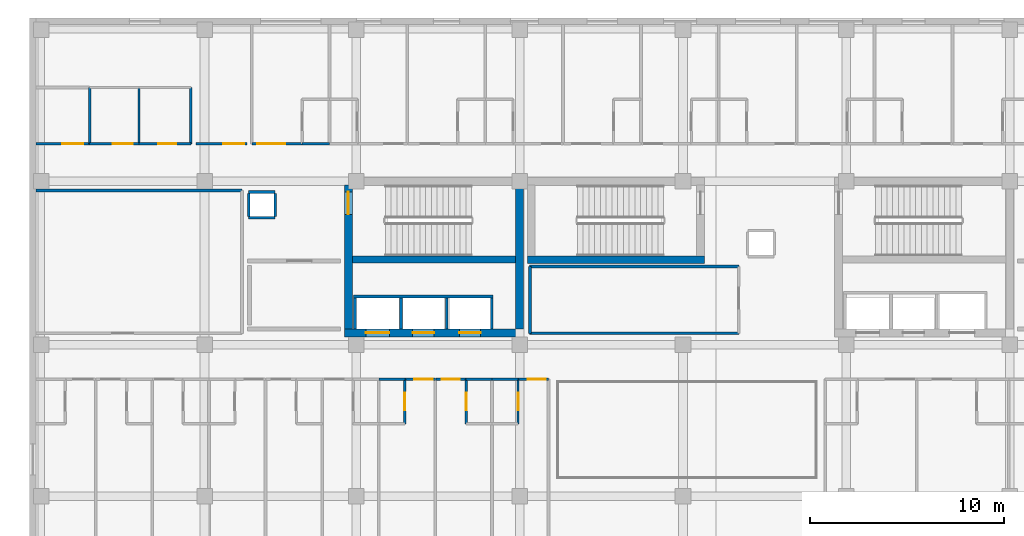
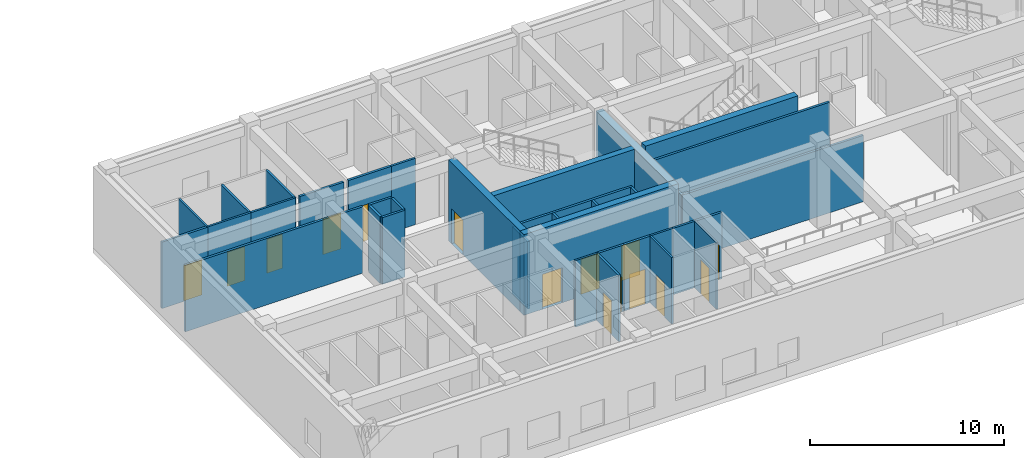
# One storey, part 102 of 139: 36 walls, 15 doors, 15 openings.
"""IFC4 building model written with IfcOpenShell, lengths in metres."""

from ifc_helpers import new_model, si_unit, direction, frame, frame_2d, origin, place, context, subcontext, project, spatial, rectangle, extrude, material, layer, layer_set, type_object, element, fill, save


model = new_model("IFC4")

# Units and contexts
model_context = context("Model", 3, precision=1e-05, world=origin(), true_north=direction((0.0, 1.0)))
body_context = subcontext(model_context, "Body", "Model", "MODEL_VIEW")
ifc_project = project(units=[si_unit("LENGTHUNIT", "METRE"), si_unit("AREAUNIT", "SQUARE_METRE"), si_unit("VOLUMEUNIT", "CUBIC_METRE"), si_unit("PLANEANGLEUNIT", "RADIAN"), si_unit("MASSUNIT", "GRAM", prefix="KILO")], contexts=[model_context])

# Site, building, storey
site_placement = place(None, origin())
site = spatial("IfcSite", under=ifc_project, at=site_placement, CompositionType="ELEMENT")
building_placement = place(site_placement, origin())
building = spatial("IfcBuilding", under=site, at=building_placement, Name="Zayran Congress Hotel", CompositionType="ELEMENT")
storey_placement = place(building_placement, frame((0.0, 0.0, 5.39990234375)))
storey = spatial("IfcBuildingStorey", under=building, at=storey_placement, Name="L01", CompositionType="ELEMENT", Elevation=5.39990234375)

# Wall, openings, doors
ifc_material_1 = material(Name="Concrete C40/50", Category="concrete")
ifc_layer_1 = layer(ifc_material_1, 0.39990234375)
ifc_layer_set_1 = layer_set([ifc_layer_1], Name="Concrete C40/50")
wall_type_1 = type_object("IfcWallType", Name="WL-SH-400", PredefinedType="SHEAR", material=ifc_layer_set_1)
wall_1_placement = place(storey_placement, frame((24.60009765625, 17.800048828125, 0.0), z_axis=(0.0, 0.0, 1.0), x_axis=(1.0, 0.0, 0.0)))
wall_1 = element("IfcWall", 1, at=wall_1_placement, inside=storey, type_object=wall_type_1, Name="CWALL-C-V5W-L01-S", PredefinedType="SHEAR", context=body_context, shape_type="SweptSolid", body=[
    extrude(rectangle(XDim=9.199951171875, YDim=0.39990234375, at=frame_2d((4.60009765625, 0.0))), origin(), (0.0, 0.0, 1.0), 5.080078125),
])
opening_1_placement = place(wall_1_placement, frame((1.10009765625, 0.0, 0.0)))
opening_1 = element("IfcOpeningElement", 2, at=opening_1_placement, cuts=wall_1, Name="Opening LD-FL01", PredefinedType="OPENING", context=body_context, shape_type="SweptSolid", body=[
    extrude(rectangle(XDim=1.199951171875, YDim=2.199951171875, at=frame_2d((0.60009765625, 1.10009765625))), frame((0.0, 0.2099609375, 0.0), z_axis=(0.0, -1.0, 0.0), x_axis=(1.0, 0.0, 0.0)), (0.0, 0.0, 1.0), 0.419921875),
])
opening_2_placement = place(wall_1_placement, frame((3.5, 0.0, 0.0)))
opening_2 = element("IfcOpeningElement", 3, at=opening_2_placement, cuts=wall_1, Name="Opening LD-PL01", PredefinedType="OPENING", context=body_context, shape_type="SweptSolid", body=[
    extrude(rectangle(XDim=1.10009765625, YDim=2.199951171875, at=frame_2d((0.550048828125, 1.10009765625))), frame((0.0, 0.2099609375, 0.0), z_axis=(0.0, -1.0, 0.0), x_axis=(1.0, 0.0, 0.0)), (0.0, 0.0, 1.0), 0.419921875),
])
opening_3_placement = place(wall_1_placement, frame((5.89990234375, 0.0, 0.0)))
opening_3 = element("IfcOpeningElement", 4, at=opening_3_placement, cuts=wall_1, Name="Opening LD-PL02", PredefinedType="OPENING", context=body_context, shape_type="SweptSolid", body=[
    extrude(rectangle(XDim=1.10009765625, YDim=2.199951171875, at=frame_2d((0.550048828125, 1.10009765625))), frame((0.0, 0.2099609375, 0.0), z_axis=(0.0, -1.0, 0.0), x_axis=(1.0, 0.0, 0.0)), (0.0, 0.0, 1.0), 0.419921875),
])
ifc_material_2 = material(Name="Brushed stainless steel sliding lift landing door", Category="steel")
door_type_1 = type_object("IfcDoorType", Name="TP-DR-LD-01", OperationType="DOUBLE_DOOR_SLIDING", PredefinedType="DOOR", material=ifc_material_2)
door_1_placement = place(opening_2_placement, origin())
door_1 = element("IfcDoor", 5, at=door_1_placement, inside=storey, type_object=door_type_1, Name="Lift PL-01 Sliding Landing Door L01", OperationType="DOUBLE_DOOR_SLIDING", OverallHeight=2.199951171875, OverallWidth=1.10009765625, PredefinedType="DOOR", context=body_context, shape_type="SweptSolid", body=[
    extrude(rectangle(XDim=1.10009765625, YDim=2.199951171875, at=frame_2d((0.550048828125, 1.10009765625))), frame((0.0, 0.02490234375, 0.0), z_axis=(0.0, -1.0, 0.0), x_axis=(1.0, 0.0, 0.0)), (0.0, 0.0, 1.0), 0.050048828125),
])
fill(opening_2, door_1)
door_2_placement = place(opening_3_placement, origin())
door_2 = element("IfcDoor", 6, at=door_2_placement, inside=storey, type_object=door_type_1, Name="Lift PL-02 Sliding Landing Door L01", OperationType="DOUBLE_DOOR_SLIDING", OverallHeight=2.199951171875, OverallWidth=1.10009765625, PredefinedType="DOOR", context=body_context, shape_type="SweptSolid", body=[
    extrude(rectangle(XDim=1.10009765625, YDim=2.199951171875, at=frame_2d((0.550048828125, 1.10009765625))), frame((0.0, 0.02490234375, 0.0), z_axis=(0.0, -1.0, 0.0), x_axis=(1.0, 0.0, 0.0)), (0.0, 0.0, 1.0), 0.050048828125),
])
fill(opening_3, door_2)
ifc_material_3 = material(Name="Brushed stainless steel firefighting lift landing door", Category="steel")
door_type_2 = type_object("IfcDoorType", Name="TP-DR-LD-02", OperationType="DOUBLE_DOOR_SLIDING", PredefinedType="DOOR", material=ifc_material_3)
door_3_placement = place(opening_1_placement, origin())
door_3 = element("IfcDoor", 7, at=door_3_placement, inside=storey, type_object=door_type_2, Name="Lift FL-01 Sliding Landing Door L01", OperationType="DOUBLE_DOOR_SLIDING", OverallHeight=2.199951171875, OverallWidth=1.199951171875, PredefinedType="DOOR", context=body_context, shape_type="SweptSolid", body=[
    extrude(rectangle(XDim=1.199951171875, YDim=2.199951171875, at=frame_2d((0.60009765625, 1.10009765625))), frame((0.0, 0.02490234375, 0.0), z_axis=(0.0, -1.0, 0.0), x_axis=(1.0, 0.0, 0.0)), (0.0, 0.0, 1.0), 0.050048828125),
])
fill(opening_1, door_3)

# Wall, opening, door
wall_2_placement = place(storey_placement, frame((24.800048828125, 25.39990234375, 0.0), z_axis=(0.0, 0.0, 1.0), x_axis=(0.0, -1.0, 0.0)))
wall_2 = element("IfcWall", 8, at=wall_2_placement, inside=storey, type_object=wall_type_1, Name="CWALL-C-V5W-L01-W", PredefinedType="SHEAR", context=body_context, shape_type="SweptSolid", body=[
    extrude(rectangle(XDim=7.39990234375, YDim=0.39990234375, at=frame_2d((3.699951171875, 0.0))), origin(), (0.0, 0.0, 1.0), 5.080078125),
])
opening_4_placement = place(wall_2_placement, frame((0.35009765625, 0.0, 0.0)))
opening_4 = element("IfcOpeningElement", 9, at=opening_4_placement, cuts=wall_2, Name="Opening DR-FD-90", PredefinedType="OPENING", context=body_context, shape_type="SweptSolid", body=[
    extrude(rectangle(XDim=1.14990234375, YDim=2.199951171875, at=frame_2d((0.574951171875, 1.10009765625))), frame((0.0, 0.2099609375, 0.0), z_axis=(0.0, -1.0, 0.0), x_axis=(1.0, 0.0, 0.0)), (0.0, 0.0, 1.0), 0.419921875),
])
ifc_material_4 = material(Name="Painted steel fire door assembly", Category="steel")
door_type_3 = type_object("IfcDoorType", Name="TP-DR-FD-90", OperationType="NOTDEFINED", PredefinedType="DOOR", material=ifc_material_4)
door_4_placement = place(opening_4_placement, origin())
door_4 = element("IfcDoor", 10, at=door_4_placement, inside=storey, type_object=door_type_3, Name="ST-01 Exit Stair Door L01", OperationType="SINGLE_SWING_LEFT", OverallHeight=2.199951171875, OverallWidth=1.14990234375, PredefinedType="DOOR", context=body_context, shape_type="SweptSolid", body=[
    extrude(rectangle(XDim=1.14990234375, YDim=2.199951171875, at=frame_2d((0.574951171875, 1.10009765625))), frame((0.0, 0.02490234375, 0.0), z_axis=(0.0, -1.0, 0.0), x_axis=(1.0, 0.0, 0.0)), (0.0, 0.0, 1.0), 0.050048828125),
])
fill(opening_4, door_4)

# Walls
wall_3_placement = place(storey_placement, frame((33.60009765625, 18.0, 0.0), z_axis=(0.0, 0.0, 1.0), x_axis=(0.0, 1.0, 0.0)))
element("IfcWall", 11, at=wall_3_placement, inside=storey, type_object=wall_type_1, Name="CWALL-C-V5W-L01-E", PredefinedType="SHEAR", context=body_context, shape_type="SweptSolid", body=[
    extrude(rectangle(XDim=7.39990234375, YDim=0.39990234375, at=frame_2d((3.699951171875, 0.0))), origin(), (0.0, 0.0, 1.0), 5.080078125),
])
wall_4_placement = place(storey_placement, frame((34.0, 21.56005859375, 0.0), z_axis=(0.0, 0.0, 1.0), x_axis=(1.0, 0.0, 0.0)))
element("IfcWall", 12, at=wall_4_placement, inside=storey, type_object=wall_type_1, Name="CWALL-C-V5M-L01-S", PredefinedType="SHEAR", context=body_context, shape_type="SweptSolid", body=[
    extrude(rectangle(XDim=9.10009765625, YDim=0.39990234375, at=frame_2d((4.550048828125, 0.0))), origin(), (0.0, 0.0, 1.0), 5.080078125),
])
ifc_layer_2 = layer(ifc_material_1, 0.35009765625)
ifc_layer_set_2 = layer_set([ifc_layer_2], Name="Concrete C40/50")
wall_type_2 = type_object("IfcWallType", Name="WL-SH-350", PredefinedType="SHEAR", material=ifc_layer_set_2)
wall_5_placement = place(storey_placement, frame((25.0, 21.5849609375, 0.0), z_axis=(0.0, 0.0, 1.0), x_axis=(1.0, 0.0, 0.0)))
element("IfcWall", 13, at=wall_5_placement, inside=storey, type_object=wall_type_2, Name="CWALL-C-V5W-L01-SPN", PredefinedType="SHEAR", context=body_context, shape_type="SweptSolid", body=[
    extrude(rectangle(XDim=8.39990234375, YDim=0.35009765625, at=frame_2d((4.199951171875, 0.0))), origin(), (0.0, 0.0, 1.0), 5.080078125),
])
ifc_material_5 = material(Name="Hospitality guestroom acoustic partition", Category="gypsum")
ifc_layer_3 = layer(ifc_material_5, 0.139892578125)
ifc_layer_set_3 = layer_set([ifc_layer_3], Name="Hospitality guestroom acoustic partition")
wall_type_3 = type_object("IfcWallType", Name="WL-PT-140", PredefinedType="PARTITIONING", material=ifc_layer_set_3)
for number, where, z_axis, x_axis, name in (
    (14, (25.1298828125, 18.0, 0.0), (0.0, 0.0, 1.0), (0.0, 1.0, 0.0), "LSHW-C-V5W-L01-W"),
    (15, (27.5, 18.0, 0.0), (0.0, 0.0, 1.0), (0.0, 1.0, 0.0), "LSHW-C-V5W-L01-DIV1"),
    (16, (29.85009765625, 18.0, 0.0), (0.0, 0.0, 1.0), (0.0, 1.0, 0.0), "LSHW-C-V5W-L01-DIV2"),
    (17, (32.169921875, 18.0, 0.0), (0.0, 0.0, 1.0), (0.0, 1.0, 0.0), "LSHW-C-V5W-L01-E"),
):
    element("IfcWall", number, at=place(storey_placement, frame(where, z_axis=z_axis, x_axis=x_axis)), inside=storey, type_object=wall_type_3, Name=name, PredefinedType="PARTITIONING", context=body_context, shape_type="SweptSolid", body=[
        extrude(rectangle(XDim=1.60009765625, YDim=0.139892578125, at=frame_2d((0.800048828125, 0.0))), origin(), (0.0, 0.0, 1.0), 4.22998046875),
    ])
wall_6_placement = place(storey_placement, frame((25.06005859375, 19.669921875, 0.0), z_axis=(0.0, 0.0, 1.0), x_axis=(1.0, 0.0, 0.0)))
element("IfcWall", 18, at=wall_6_placement, inside=storey, type_object=wall_type_3, Name="LSHW-C-V5W-L01-N", PredefinedType="PARTITIONING", context=body_context, shape_type="SweptSolid", body=[
    extrude(rectangle(XDim=7.179931640625, YDim=0.139892578125, at=frame_2d((3.58984375, 0.0))), origin(), (0.0, 0.0, 1.0), 4.22998046875),
])

# Wall, opening, door
wall_7_placement = place(storey_placement, frame((27.697021484375, 15.419921875, 0.0), z_axis=(0.0, 0.0, 1.0), x_axis=(1.0, 0.0, 0.0)))
wall_7 = element("IfcWall", 19, at=wall_7_placement, inside=storey, type_object=wall_type_3, Name="IW-L01-0454", PredefinedType="PARTITIONING", context=body_context, shape_type="SweptSolid", body=[
    extrude(rectangle(XDim=1.571044921875, YDim=0.139892578125, at=frame_2d((0.78564453125, 0.0))), origin(), (0.0, 0.0, 1.0), 4.18017578125),
])
opening_5_placement = place(wall_7_placement, frame((0.490966796875, 0.0, 0.0)))
opening_5 = element("IfcOpeningElement", 20, at=opening_5_placement, cuts=wall_7, Name="Opening DR-GR-01", PredefinedType="OPENING", context=body_context, shape_type="SweptSolid", body=[
    extrude(rectangle(XDim=0.93994140625, YDim=2.199951171875, at=frame_2d((0.469970703125, 1.10009765625))), frame((0.0, 0.079833984375, 0.0), z_axis=(0.0, -1.0, 0.0), x_axis=(1.0, 0.0, 0.0)), (0.0, 0.0, 1.0), 0.159912109375),
])
ifc_material_6 = material(Name="Acoustic walnut veneer fire-rated entry door", Category="wood")
door_type_4 = type_object("IfcDoorType", Name="TP-DR-GR-01", OperationType="NOTDEFINED", PredefinedType="DOOR", material=ifc_material_6)
door_5_placement = place(opening_5_placement, origin())
door_5 = element("IfcDoor", 21, at=door_5_placement, inside=storey, type_object=door_type_4, Name="Guest Room L01-07 Door", OperationType="SINGLE_SWING_RIGHT", OverallHeight=2.199951171875, OverallWidth=0.93994140625, PredefinedType="DOOR", context=body_context, shape_type="SweptSolid", body=[
    extrude(rectangle(XDim=0.93994140625, YDim=2.199951171875, at=frame_2d((0.469970703125, 1.10009765625))), frame((0.0, 0.02490234375, 0.0), z_axis=(0.0, -1.0, 0.0), x_axis=(1.0, 0.0, 0.0)), (0.0, 0.0, 1.0), 0.050048828125),
])
fill(opening_5, door_5)

wall_8_placement = place(storey_placement, frame((29.2880859375, 15.419921875, 0.0), z_axis=(0.0, 0.0, 1.0), x_axis=(1.0, 0.0, 0.0)))
wall_8 = element("IfcWall", 22, at=wall_8_placement, inside=storey, type_object=wall_type_3, Name="IW-L01-0455", PredefinedType="PARTITIONING", context=body_context, shape_type="SweptSolid", body=[
    extrude(rectangle(XDim=1.57080078125, YDim=0.139892578125, at=frame_2d((0.785400390625, 0.0))), origin(), (0.0, 0.0, 1.0), 4.18017578125),
])
opening_6_placement = place(wall_8_placement, frame((0.302978515625, 0.0, 0.0)))
opening_6 = element("IfcOpeningElement", 23, at=opening_6_placement, cuts=wall_8, Name="Opening DR-GR-01", PredefinedType="OPENING", context=body_context, shape_type="SweptSolid", body=[
    extrude(rectangle(XDim=0.93994140625, YDim=2.199951171875, at=frame_2d((0.469970703125, 1.10009765625))), frame((0.0, 0.079833984375, 0.0), z_axis=(0.0, -1.0, 0.0), x_axis=(1.0, 0.0, 0.0)), (0.0, 0.0, 1.0), 0.159912109375),
])
door_6_placement = place(opening_6_placement, origin())
door_6 = element("IfcDoor", 24, at=door_6_placement, inside=storey, type_object=door_type_4, Name="Guest Room L01-08 Door", OperationType="SINGLE_SWING_LEFT", OverallHeight=2.199951171875, OverallWidth=0.93994140625, PredefinedType="DOOR", context=body_context, shape_type="SweptSolid", body=[
    extrude(rectangle(XDim=0.93994140625, YDim=2.199951171875, at=frame_2d((0.469970703125, 1.10009765625))), frame((0.0, 0.02490234375, 0.0), z_axis=(0.0, -1.0, 0.0), x_axis=(1.0, 0.0, 0.0)), (0.0, 0.0, 1.0), 0.050048828125),
])
fill(opening_6, door_6)

wall_9_placement = place(storey_placement, frame((33.51904296875, 15.419921875, 0.0), z_axis=(0.0, 0.0, 1.0), x_axis=(1.0, 0.0, 0.0)))
wall_9 = element("IfcWall", 25, at=wall_9_placement, inside=storey, type_object=wall_type_3, Name="IW-L01-0456", PredefinedType="PARTITIONING", context=body_context, shape_type="SweptSolid", body=[
    extrude(rectangle(XDim=1.571044921875, YDim=0.139892578125, at=frame_2d((0.78564453125, 0.0))), origin(), (0.0, 0.0, 1.0), 4.18017578125),
])
opening_7_placement = place(wall_9_placement, frame((0.490966796875, 0.0, 0.0)))
opening_7 = element("IfcOpeningElement", 26, at=opening_7_placement, cuts=wall_9, Name="Opening DR-GR-01", PredefinedType="OPENING", context=body_context, shape_type="SweptSolid", body=[
    extrude(rectangle(XDim=0.93994140625, YDim=2.199951171875, at=frame_2d((0.469970703125, 1.10009765625))), frame((0.0, 0.079833984375, 0.0), z_axis=(0.0, -1.0, 0.0), x_axis=(1.0, 0.0, 0.0)), (0.0, 0.0, 1.0), 0.159912109375),
])
door_7_placement = place(opening_7_placement, origin())
door_7 = element("IfcDoor", 27, at=door_7_placement, inside=storey, type_object=door_type_4, Name="Guest Room L01-09 Door", OperationType="SINGLE_SWING_RIGHT", OverallHeight=2.199951171875, OverallWidth=0.93994140625, PredefinedType="DOOR", context=body_context, shape_type="SweptSolid", body=[
    extrude(rectangle(XDim=0.93994140625, YDim=2.199951171875, at=frame_2d((0.469970703125, 1.10009765625))), frame((0.0, 0.02490234375, 0.0), z_axis=(0.0, -1.0, 0.0), x_axis=(1.0, 0.0, 0.0)), (0.0, 0.0, 1.0), 0.050048828125),
])
fill(opening_7, door_7)

wall_10_placement = place(storey_placement, frame((8.739990234375, 27.530029296875, 0.0), z_axis=(0.0, 0.0, 1.0), x_axis=(1.0, 0.0, 0.0)))
wall_10 = element("IfcWall", 28, at=wall_10_placement, inside=storey, type_object=wall_type_3, Name="IW-L01-0466", PredefinedType="PARTITIONING", context=body_context, shape_type="SweptSolid", body=[
    extrude(rectangle(XDim=2.739990234375, YDim=0.139892578125, at=frame_2d((1.3701171875, 0.0))), origin(), (0.0, 0.0, 1.0), 4.18017578125),
])
opening_8_placement = place(wall_10_placement, frame((1.35009765625, 0.0, 0.0)))
opening_8 = element("IfcOpeningElement", 29, at=opening_8_placement, cuts=wall_10, Name="Opening DR-PL-02", PredefinedType="OPENING", context=body_context, shape_type="SweptSolid", body=[
    extrude(rectangle(XDim=1.06005859375, YDim=2.199951171875, at=frame_2d((0.530029296875, 1.10009765625))), frame((0.0, 0.079833984375, 0.0), z_axis=(0.0, -1.0, 0.0), x_axis=(1.0, 0.0, 0.0)), (0.0, 0.0, 1.0), 0.159912109375),
])
ifc_material_7 = material(Name="Painted steel store room fire door", Category="steel")
door_type_5 = type_object("IfcDoorType", Name="TP-DR-PL-02", OperationType="NOTDEFINED", PredefinedType="DOOR", material=ifc_material_7)
door_8_placement = place(opening_8_placement, origin())
door_8 = element("IfcDoor", 30, at=door_8_placement, inside=storey, type_object=door_type_5, Name="Housekeeping and Linen Store L01 Door", OperationType="SINGLE_SWING_RIGHT", OverallHeight=2.199951171875, OverallWidth=1.06005859375, PredefinedType="DOOR", context=body_context, shape_type="SweptSolid", body=[
    extrude(rectangle(XDim=1.06005859375, YDim=2.199951171875, at=frame_2d((0.530029296875, 1.10009765625))), frame((0.0, 0.02490234375, 0.0), z_axis=(0.0, -1.0, 0.0), x_axis=(1.0, 0.0, 0.0)), (0.0, 0.0, 1.0), 0.050048828125),
])
fill(opening_8, door_8)

wall_11_placement = place(storey_placement, frame((16.9599609375, 27.530029296875, 0.0), z_axis=(0.0, 0.0, 1.0), x_axis=(1.0, 0.0, 0.0)))
wall_11 = element("IfcWall", 31, at=wall_11_placement, inside=storey, type_object=wall_type_3, Name="IW-L01-0467", PredefinedType="PARTITIONING", context=body_context, shape_type="SweptSolid", body=[
    extrude(rectangle(XDim=2.610107421875, YDim=0.139892578125, at=frame_2d((1.30517578125, 0.0))), origin(), (0.0, 0.0, 1.0), 4.18017578125),
])
opening_9_placement = place(wall_11_placement, frame((1.389892578125, 0.0, 0.0)))
opening_9 = element("IfcOpeningElement", 32, at=opening_9_placement, cuts=wall_11, Name="Opening DR-MT-01", PredefinedType="OPENING", context=body_context, shape_type="SweptSolid", body=[
    extrude(rectangle(XDim=1.080078125, YDim=2.25, at=frame_2d((0.5400390625, 1.125))), frame((0.0, 0.079833984375, 0.0), z_axis=(0.0, -1.0, 0.0), x_axis=(1.0, 0.0, 0.0)), (0.0, 0.0, 1.0), 0.159912109375),
])
ifc_material_8 = material(Name="Acoustic timber seminar room door", Category="wood")
door_type_6 = type_object("IfcDoorType", Name="TP-DR-MT-01", OperationType="NOTDEFINED", PredefinedType="DOOR", material=ifc_material_8)
door_9_placement = place(opening_9_placement, origin())
door_9 = element("IfcDoor", 33, at=door_9_placement, inside=storey, type_object=door_type_6, Name="Delegate Reading Salon L01 Door", OperationType="SINGLE_SWING_LEFT", OverallHeight=2.25, OverallWidth=1.080078125, PredefinedType="DOOR", context=body_context, shape_type="SweptSolid", body=[
    extrude(rectangle(XDim=1.080078125, YDim=2.25, at=frame_2d((0.5400390625, 1.125))), frame((0.0, 0.02490234375, 0.0), z_axis=(0.0, -1.0, 0.0), x_axis=(1.0, 0.0, 0.0)), (0.0, 0.0, 1.0), 0.050048828125),
])
fill(opening_9, door_9)

wall_12_placement = place(storey_placement, frame((19.840087890625, 27.530029296875, 0.0), z_axis=(0.0, 0.0, 1.0), x_axis=(1.0, 0.0, 0.0)))
wall_12 = element("IfcWall", 34, at=wall_12_placement, inside=storey, type_object=wall_type_3, Name="IW-L01-0468", PredefinedType="PARTITIONING", context=body_context, shape_type="SweptSolid", body=[
    extrude(rectangle(XDim=2.574951171875, YDim=0.139892578125, at=frame_2d((1.28759765625, 0.0))), origin(), (0.0, 0.0, 1.0), 4.18017578125),
])
opening_10_placement = place(wall_12_placement, frame((0.260986328125, 0.0, 0.0)))
opening_10 = element("IfcOpeningElement", 35, at=opening_10_placement, cuts=wall_12, Name="Opening DR-ST-01", PredefinedType="OPENING", context=body_context, shape_type="SweptSolid", body=[
    extrude(rectangle(XDim=1.449951171875, YDim=2.300048828125, at=frame_2d((0.72509765625, 1.14990234375))), frame((0.0, 0.079833984375, 0.0), z_axis=(0.0, -1.0, 0.0), x_axis=(1.0, 0.0, 0.0)), (0.0, 0.0, 1.0), 0.159912109375),
])
ifc_material_9 = material(Name="Double walnut veneer suite entry door", Category="wood")
door_type_7 = type_object("IfcDoorType", Name="TP-DR-ST-01", OperationType="DOUBLE_DOOR_SINGLE_SWING", PredefinedType="DOOR", material=ifc_material_9)
door_10_placement = place(opening_10_placement, origin())
door_10 = element("IfcDoor", 36, at=door_10_placement, inside=storey, type_object=door_type_7, Name="Executive Suite L01-19 Door", OperationType="DOUBLE_DOOR_SINGLE_SWING", OverallHeight=2.300048828125, OverallWidth=1.449951171875, PredefinedType="DOOR", context=body_context, shape_type="SweptSolid", body=[
    extrude(rectangle(XDim=1.449951171875, YDim=2.300048828125, at=frame_2d((0.72509765625, 1.14990234375))), frame((0.0, 0.02490234375, 0.0), z_axis=(0.0, -1.0, 0.0), x_axis=(1.0, 0.0, 0.0)), (0.0, 0.0, 1.0), 0.050048828125),
])
fill(opening_10, door_10)

# Walls
for number, where, z_axis, x_axis, name in (
    (37, (34.1201171875, 17.780029296875, 0.0), (0.0, 0.0, 1.0), (1.0, 0.0, 0.0), "IW-L01-1734"),
    (38, (34.1201171875, 21.219970703125, 0.0), (0.0, 0.0, 1.0), (1.0, 0.0, 0.0), "IW-L01-1735"),
):
    element("IfcWall", number, at=place(storey_placement, frame(where, z_axis=z_axis, x_axis=x_axis)), inside=storey, type_object=wall_type_3, Name=name, PredefinedType="PARTITIONING", context=body_context, shape_type="SweptSolid", body=[
        extrude(rectangle(XDim=10.759765625, YDim=0.139892578125, at=frame_2d((5.3798828125, 0.0))), origin(), (0.0, 0.0, 1.0), 4.18017578125),
    ])
wall_13_placement = place(storey_placement, frame((34.1298828125, 17.77001953125, 0.0), z_axis=(0.0, 0.0, 1.0), x_axis=(0.0, 1.0, 0.0)))
element("IfcWall", 39, at=wall_13_placement, inside=storey, type_object=wall_type_3, Name="IW-L01-1736", PredefinedType="PARTITIONING", context=body_context, shape_type="SweptSolid", body=[
    extrude(rectangle(XDim=3.4599609375, YDim=0.139892578125, at=frame_2d((1.72998046875, 0.0))), origin(), (0.0, 0.0, 1.0), 4.18017578125),
])
wall_14_placement = place(storey_placement, frame((8.739990234375, 25.1201171875, 0.0), z_axis=(0.0, 0.0, 1.0), x_axis=(1.0, 0.0, 0.0)))
element("IfcWall", 40, at=wall_14_placement, inside=storey, type_object=wall_type_3, Name="IW-L01-1737", PredefinedType="PARTITIONING", context=body_context, shape_type="SweptSolid", body=[
    extrude(rectangle(XDim=10.590087890625, YDim=0.139892578125, at=frame_2d((5.294921875, 0.0))), origin(), (0.0, 0.0, 1.0), 4.18017578125),
])
for number, where, z_axis, x_axis, name in (
    (41, (19.669921875, 23.72998046875, 0.0), (0.0, 0.0, 1.0), (1.0, 0.0, 0.0), "RSWL-V5-L01-026-S"),
    (42, (21.030029296875, 25.050048828125, 0.0), (0.0, 0.0, 1.0), (-1.0, 0.0, 0.0), "RSWL-V5-L01-026-N"),
):
    element("IfcWall", number, at=place(storey_placement, frame(where, z_axis=z_axis, x_axis=x_axis)), inside=storey, type_object=wall_type_3, Name=name, PredefinedType="PARTITIONING", context=body_context, shape_type="SweptSolid", body=[
        extrude(rectangle(XDim=1.360107421875, YDim=0.139892578125, at=frame_2d((0.68017578125, 0.0))), origin(), (0.0, 0.0, 1.0), 4.2001953125),
    ])
for number, where, z_axis, x_axis, name in (
    (43, (19.669921875, 24.97998046875, 0.0), (0.0, 0.0, 1.0), (0.0, -1.0, 0.0), "RSWL-V5-L01-026-W"),
    (44, (21.030029296875, 23.800048828125, 0.0), (0.0, 0.0, 1.0), (0.0, 1.0, 0.0), "RSWL-V5-L01-026-E"),
):
    element("IfcWall", number, at=place(storey_placement, frame(where, z_axis=z_axis, x_axis=x_axis)), inside=storey, type_object=wall_type_3, Name=name, PredefinedType="PARTITIONING", context=body_context, shape_type="SweptSolid", body=[
        extrude(rectangle(XDim=1.179931640625, YDim=0.139892578125, at=frame_2d((0.58984375, 0.0))), origin(), (0.0, 0.0, 1.0), 4.2001953125),
    ])

# Wall, opening, door
ifc_material_10 = material(Name="Moisture-resistant bathroom partition", Category="gypsum")
ifc_layer_4 = layer(ifc_material_10, 0.1201171875)
ifc_layer_set_4 = layer_set([ifc_layer_4], Name="Moisture-resistant bathroom partition")
wall_type_4 = type_object("IfcWallType", Name="WL-PT-120", PredefinedType="PARTITIONING", material=ifc_layer_set_4)
wall_15_placement = place(storey_placement, frame((27.697021484375, 13.1201171875, 0.0), z_axis=(0.0, 0.0, 1.0), x_axis=(0.0, 1.0, 0.0)))
wall_15 = element("IfcWall", 45, at=wall_15_placement, inside=storey, type_object=wall_type_4, Name="IW-L01-0023", PredefinedType="PARTITIONING", context=body_context, shape_type="SweptSolid", body=[
    extrude(rectangle(XDim=2.309814453125, YDim=0.1201171875, at=frame_2d((1.15478515625, 0.0))), origin(), (0.0, 0.0, 1.0), 4.18017578125),
])
opening_11_placement = place(wall_15_placement, frame((0.715087890625, 0.0, 0.0)))
opening_11 = element("IfcOpeningElement", 46, at=opening_11_placement, cuts=wall_15, Name="Opening DR-BT-01", PredefinedType="OPENING", context=body_context, shape_type="SweptSolid", body=[
    extrude(rectangle(XDim=0.8798828125, YDim=2.14990234375, at=frame_2d((0.43994140625, 1.074951171875))), frame((0.0, 0.070068359375, 0.0), z_axis=(0.0, -1.0, 0.0), x_axis=(1.0, 0.0, 0.0)), (0.0, 0.0, 1.0), 0.14013671875),
])
ifc_material_11 = material(Name="Moisture-resistant oak en-suite door", Category="wood")
door_type_8 = type_object("IfcDoorType", Name="TP-DR-BT-01", OperationType="NOTDEFINED", PredefinedType="DOOR", material=ifc_material_11)
door_11_placement = place(opening_11_placement, origin())
door_11 = element("IfcDoor", 47, at=door_11_placement, inside=storey, type_object=door_type_8, Name="En-Suite Bathroom L01-07 Door", OperationType="SINGLE_SWING_RIGHT", OverallHeight=2.14990234375, OverallWidth=0.8798828125, PredefinedType="DOOR", context=body_context, shape_type="SweptSolid", body=[
    extrude(rectangle(XDim=0.8798828125, YDim=2.14990234375, at=frame_2d((0.43994140625, 1.074951171875))), frame((0.0, 0.02490234375, 0.0), z_axis=(0.0, -1.0, 0.0), x_axis=(1.0, 0.0, 0.0)), (0.0, 0.0, 1.0), 0.050048828125),
])
fill(opening_11, door_11)

wall_16_placement = place(storey_placement, frame((30.85888671875, 13.1201171875, 0.0), z_axis=(0.0, 0.0, 1.0), x_axis=(0.0, 1.0, 0.0)))
wall_16 = element("IfcWall", 48, at=wall_16_placement, inside=storey, type_object=wall_type_4, Name="IW-L01-0024", PredefinedType="PARTITIONING", context=body_context, shape_type="SweptSolid", body=[
    extrude(rectangle(XDim=2.309814453125, YDim=0.1201171875, at=frame_2d((1.15478515625, 0.0))), origin(), (0.0, 0.0, 1.0), 4.18017578125),
])
opening_12_placement = place(wall_16_placement, frame((0.715087890625, 0.0, 0.0)))
opening_12 = element("IfcOpeningElement", 49, at=opening_12_placement, cuts=wall_16, Name="Opening DR-BT-01", PredefinedType="OPENING", context=body_context, shape_type="SweptSolid", body=[
    extrude(rectangle(XDim=0.8798828125, YDim=2.14990234375, at=frame_2d((0.43994140625, 1.074951171875))), frame((0.0, 0.070068359375, 0.0), z_axis=(0.0, -1.0, 0.0), x_axis=(1.0, 0.0, 0.0)), (0.0, 0.0, 1.0), 0.14013671875),
])
door_12_placement = place(opening_12_placement, origin())
door_12 = element("IfcDoor", 50, at=door_12_placement, inside=storey, type_object=door_type_8, Name="En-Suite Bathroom L01-08 Door", OperationType="SINGLE_SWING_LEFT", OverallHeight=2.14990234375, OverallWidth=0.8798828125, PredefinedType="DOOR", context=body_context, shape_type="SweptSolid", body=[
    extrude(rectangle(XDim=0.8798828125, YDim=2.14990234375, at=frame_2d((0.43994140625, 1.074951171875))), frame((0.0, 0.02490234375, 0.0), z_axis=(0.0, -1.0, 0.0), x_axis=(1.0, 0.0, 0.0)), (0.0, 0.0, 1.0), 0.050048828125),
])
fill(opening_12, door_12)

wall_17_placement = place(storey_placement, frame((33.51904296875, 13.1201171875, 0.0), z_axis=(0.0, 0.0, 1.0), x_axis=(0.0, 1.0, 0.0)))
wall_17 = element("IfcWall", 51, at=wall_17_placement, inside=storey, type_object=wall_type_4, Name="IW-L01-0025", PredefinedType="PARTITIONING", context=body_context, shape_type="SweptSolid", body=[
    extrude(rectangle(XDim=2.309814453125, YDim=0.1201171875, at=frame_2d((1.15478515625, 0.0))), origin(), (0.0, 0.0, 1.0), 4.18017578125),
])
opening_13_placement = place(wall_17_placement, frame((0.715087890625, 0.0, 0.0)))
opening_13 = element("IfcOpeningElement", 52, at=opening_13_placement, cuts=wall_17, Name="Opening DR-BT-01", PredefinedType="OPENING", context=body_context, shape_type="SweptSolid", body=[
    extrude(rectangle(XDim=0.8798828125, YDim=2.14990234375, at=frame_2d((0.43994140625, 1.074951171875))), frame((0.0, 0.070068359375, 0.0), z_axis=(0.0, -1.0, 0.0), x_axis=(1.0, 0.0, 0.0)), (0.0, 0.0, 1.0), 0.14013671875),
])
door_13_placement = place(opening_13_placement, origin())
door_13 = element("IfcDoor", 53, at=door_13_placement, inside=storey, type_object=door_type_8, Name="En-Suite Bathroom L01-09 Door", OperationType="SINGLE_SWING_RIGHT", OverallHeight=2.14990234375, OverallWidth=0.8798828125, PredefinedType="DOOR", context=body_context, shape_type="SweptSolid", body=[
    extrude(rectangle(XDim=0.8798828125, YDim=2.14990234375, at=frame_2d((0.43994140625, 1.074951171875))), frame((0.0, 0.02490234375, 0.0), z_axis=(0.0, -1.0, 0.0), x_axis=(1.0, 0.0, 0.0)), (0.0, 0.0, 1.0), 0.050048828125),
])
fill(opening_13, door_13)

wall_18_placement = place(storey_placement, frame((11.47998046875, 27.530029296875, 0.0), z_axis=(0.0, 0.0, 1.0), x_axis=(1.0, 0.0, 0.0)))
wall_18 = element("IfcWall", 54, at=wall_18_placement, inside=storey, type_object=wall_type_4, Name="IW-L01-0351", PredefinedType="PARTITIONING", context=body_context, shape_type="SweptSolid", body=[
    extrude(rectangle(XDim=2.56005859375, YDim=0.1201171875, at=frame_2d((1.280029296875, 0.0))), origin(), (0.0, 0.0, 1.0), 4.18017578125),
])
opening_14_placement = place(wall_18_placement, frame((1.18994140625, 0.0, 0.0)))
opening_14 = element("IfcOpeningElement", 55, at=opening_14_placement, cuts=wall_18, Name="Opening DR-WC-02", PredefinedType="OPENING", context=body_context, shape_type="SweptSolid", body=[
    extrude(rectangle(XDim=1.0400390625, YDim=2.14990234375, at=frame_2d((0.52001953125, 1.074951171875))), frame((0.0, 0.070068359375, 0.0), z_axis=(0.0, -1.0, 0.0), x_axis=(1.0, 0.0, 0.0)), (0.0, 0.0, 1.0), 0.14013671875),
])
ifc_material_12 = material(Name="Accessible public washroom door", Category="steel")
door_type_9 = type_object("IfcDoorType", Name="TP-DR-WC-02", OperationType="NOTDEFINED", PredefinedType="DOOR", material=ifc_material_12)
door_14_placement = place(opening_14_placement, origin())
door_14 = element("IfcDoor", 56, at=door_14_placement, inside=storey, type_object=door_type_9, Name="Accessible WC L01 Door", OperationType="SINGLE_SWING_RIGHT", OverallHeight=2.14990234375, OverallWidth=1.0400390625, PredefinedType="DOOR", context=body_context, shape_type="SweptSolid", body=[
    extrude(rectangle(XDim=1.0400390625, YDim=2.14990234375, at=frame_2d((0.52001953125, 1.074951171875))), frame((0.0, 0.02490234375, 0.0), z_axis=(0.0, -1.0, 0.0), x_axis=(1.0, 0.0, 0.0)), (0.0, 0.0, 1.0), 0.050048828125),
])
fill(opening_14, door_14)

wall_19_placement = place(storey_placement, frame((14.0400390625, 27.530029296875, 0.0), z_axis=(0.0, 0.0, 1.0), x_axis=(1.0, 0.0, 0.0)))
wall_19 = element("IfcWall", 57, at=wall_19_placement, inside=storey, type_object=wall_type_4, Name="IW-L01-0352", PredefinedType="PARTITIONING", context=body_context, shape_type="SweptSolid", body=[
    extrude(rectangle(XDim=2.659912109375, YDim=0.1201171875, at=frame_2d((1.330078125, 0.0))), origin(), (0.0, 0.0, 1.0), 4.18017578125),
])
opening_15_placement = place(wall_19_placement, frame((0.986083984375, 0.0, 0.0)))
opening_15 = element("IfcOpeningElement", 58, at=opening_15_placement, cuts=wall_19, Name="Opening DR-WC-01", PredefinedType="OPENING", context=body_context, shape_type="SweptSolid", body=[
    extrude(rectangle(XDim=0.919921875, YDim=2.14990234375, at=frame_2d((0.4599609375, 1.074951171875))), frame((0.0, 0.070068359375, 0.0), z_axis=(0.0, -1.0, 0.0), x_axis=(1.0, 0.0, 0.0)), (0.0, 0.0, 1.0), 0.14013671875),
])
ifc_material_13 = material(Name="Laminated timber public washroom door", Category="wood")
door_type_10 = type_object("IfcDoorType", Name="TP-DR-WC-01", OperationType="NOTDEFINED", PredefinedType="DOOR", material=ifc_material_13)
door_15_placement = place(opening_15_placement, origin())
door_15 = element("IfcDoor", 59, at=door_15_placement, inside=storey, type_object=door_type_10, Name="Public WC L01 Door", OperationType="SINGLE_SWING_LEFT", OverallHeight=2.14990234375, OverallWidth=0.919921875, PredefinedType="DOOR", context=body_context, shape_type="SweptSolid", body=[
    extrude(rectangle(XDim=0.919921875, YDim=2.14990234375, at=frame_2d((0.4599609375, 1.074951171875))), frame((0.0, 0.02490234375, 0.0), z_axis=(0.0, -1.0, 0.0), x_axis=(1.0, 0.0, 0.0)), (0.0, 0.0, 1.0), 0.050048828125),
])
fill(opening_15, door_15)

# Walls
wall_20_placement = place(storey_placement, frame((26.366943359375, 15.419921875, 0.0), z_axis=(0.0, 0.0, 1.0), x_axis=(1.0, 0.0, 0.0)))
element("IfcWall", 60, at=wall_20_placement, inside=storey, type_object=wall_type_4, Name="IW-L01-0914", PredefinedType="PARTITIONING", context=body_context, shape_type="SweptSolid", body=[
    extrude(rectangle(XDim=1.340087890625, YDim=0.1201171875, at=frame_2d((0.669921875, 0.0))), origin(), (0.0, 0.0, 1.0), 4.18017578125),
])
wall_21_placement = place(storey_placement, frame((30.84912109375, 15.419921875, 0.0), z_axis=(0.0, 0.0, 1.0), x_axis=(1.0, 0.0, 0.0)))
element("IfcWall", 61, at=wall_21_placement, inside=storey, type_object=wall_type_4, Name="IW-L01-0916", PredefinedType="PARTITIONING", context=body_context, shape_type="SweptSolid", body=[
    extrude(rectangle(XDim=1.33984375, YDim=0.1201171875, at=frame_2d((0.669921875, 0.0))), origin(), (0.0, 0.0, 1.0), 4.18017578125),
])
wall_22_placement = place(storey_placement, frame((32.18896484375, 15.419921875, 0.0), z_axis=(0.0, 0.0, 1.0), x_axis=(1.0, 0.0, 0.0)))
element("IfcWall", 62, at=wall_22_placement, inside=storey, type_object=wall_type_4, Name="IW-L01-0918", PredefinedType="PARTITIONING", context=body_context, shape_type="SweptSolid", body=[
    extrude(rectangle(XDim=1.330078125, YDim=0.1201171875, at=frame_2d((0.6650390625, 0.0))), origin(), (0.0, 0.0, 1.0), 4.18017578125),
])
wall_23_placement = place(storey_placement, frame((22.405029296875, 27.530029296875, 0.0), z_axis=(0.0, 0.0, 1.0), x_axis=(1.0, 0.0, 0.0)))
element("IfcWall", 63, at=wall_23_placement, inside=storey, type_object=wall_type_4, Name="IW-L01-0937", PredefinedType="PARTITIONING", context=body_context, shape_type="SweptSolid", body=[
    extrude(rectangle(XDim=1.428955078125, YDim=0.1201171875, at=frame_2d((0.71435546875, 0.0))), origin(), (0.0, 0.0, 1.0), 4.18017578125),
])
for number, where, z_axis, x_axis, name in (
    (64, (11.489990234375, 27.52001953125, 0.0), (0.0, 0.0, 1.0), (0.0, 1.0, 0.0), "IW-L01-1565"),
    (65, (14.030029296875, 27.52001953125, 0.0), (0.0, 0.0, 1.0), (0.0, 1.0, 0.0), "IW-L01-1566"),
    (66, (16.68994140625, 27.52001953125, 0.0), (0.0, 0.0, 1.0), (0.0, 1.0, 0.0), "IW-L01-1568"),
):
    element("IfcWall", number, at=place(storey_placement, frame(where, z_axis=z_axis, x_axis=x_axis)), inside=storey, type_object=wall_type_4, Name=name, PredefinedType="PARTITIONING", context=body_context, shape_type="SweptSolid", body=[
        extrude(rectangle(XDim=2.909912109375, YDim=0.1201171875, at=frame_2d((1.455078125, 0.0))), origin(), (0.0, 0.0, 1.0), 4.18017578125),
    ])

save(model, "model.ifc")
